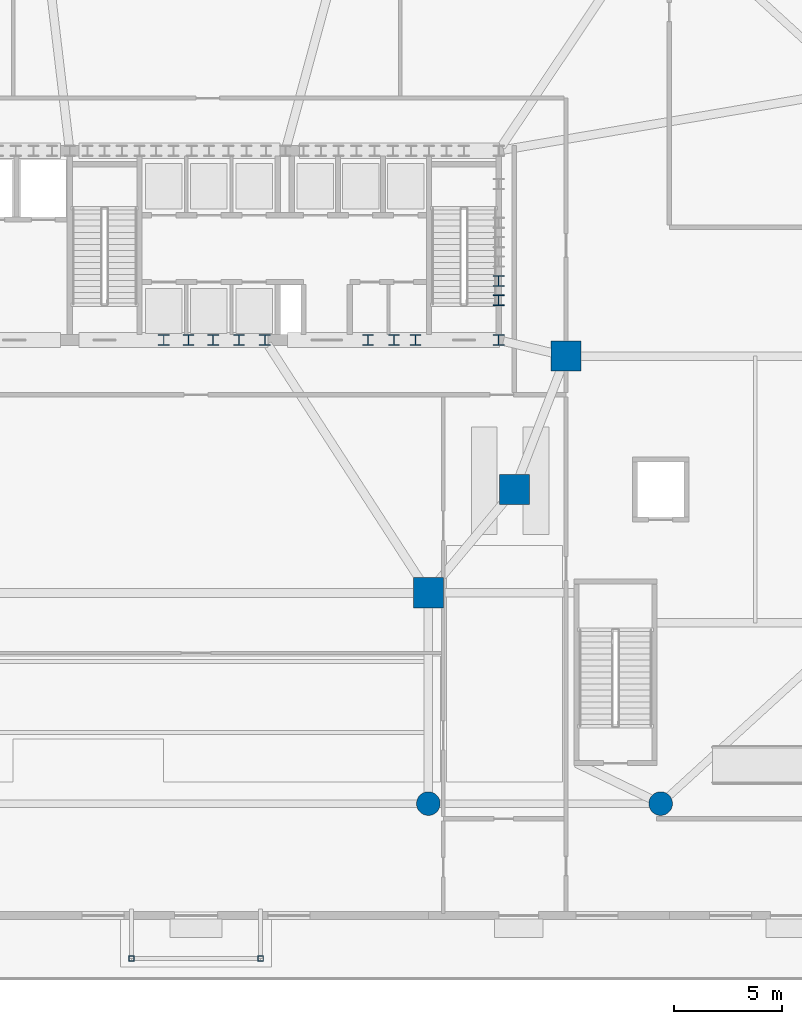
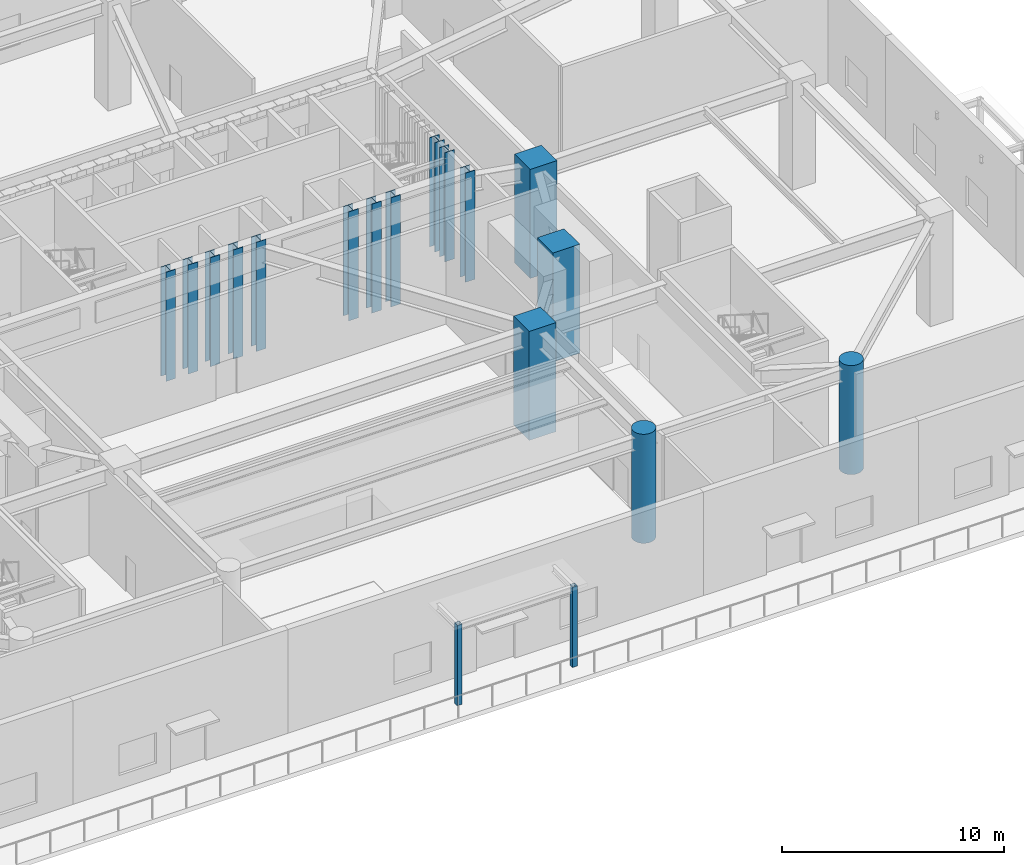
# One storey, part 2 of 21: 18 columns.
"""IFC4 building model written with IfcOpenShell, lengths in metres."""

from ifc_helpers import new_model, si_unit, direction, frame, origin, origin_2d, place, context, subcontext, project, spatial, rectangle, hollow_rectangle, circle, i_section, extrude, material, material_profile, profile_set, type_object, element, save


model = new_model("IFC4")

# Units and contexts
model_context = context("Model", 3, precision=1e-05, world=origin(), true_north=direction((0.0, 1.0)))
body_context = subcontext(model_context, "Body", "Model", "MODEL_VIEW")
ifc_project = project(units=[si_unit("LENGTHUNIT", "METRE"), si_unit("AREAUNIT", "SQUARE_METRE"), si_unit("VOLUMEUNIT", "CUBIC_METRE"), si_unit("PLANEANGLEUNIT", "RADIAN"), si_unit("MASSUNIT", "GRAM", prefix="KILO")], contexts=[model_context])

# Site, building, storey
site_placement = place(None, origin())
site = spatial("IfcSite", under=ifc_project, at=site_placement, CompositionType="ELEMENT")
building_placement = place(site_placement, origin())
building = spatial("IfcBuilding", under=site, at=building_placement, Name="Haldorwick Loom Tower", CompositionType="ELEMENT")
storey_placement = place(building_placement, origin())
storey = spatial("IfcBuildingStorey", under=building, at=storey_placement, Name="L00", CompositionType="ELEMENT", Elevation=0.0)

# Columns
ifc_material_1 = material(Name="Steel CSA G40.21 350W", Category="steel")
ifc_material_profile_1 = material_profile(ifc_material_1, hollow_rectangle(XDim=0.25390625, YDim=0.25390625, WallThickness=0.0126953125, at=origin_2d()), Name="HSS254X254X13", Category="steel")
ifc_profile_set_1 = profile_set([ifc_material_profile_1], Name="Steel CSA G40.21 350W")
column_type_1 = type_object("IfcColumnType", Name="STR-COL-CN254", PredefinedType="COLUMN", material=ifc_profile_set_1)
for number, where, z_axis, x_axis, name in (
    (1, (33.0, -2.0, 0.0), (0.0, 0.0, 1.0), (1.0, 0.0, 0.0), "L00 Entrance Canopy Column CN-S1-1"),
    (2, (39.0, -2.0, 0.0), (0.0, 0.0, 1.0), (1.0, 0.0, 0.0), "L00 Entrance Canopy Column CN-S1-2"),
):
    element("IfcColumn", number, at=place(storey_placement, frame(where, z_axis=z_axis, x_axis=x_axis)), inside=storey, type_object=column_type_1, Name=name, PredefinedType="COLUMN", context=body_context, shape_type="SweptSolid", body=[
        extrude(hollow_rectangle(XDim=0.25390625, YDim=0.25390625, WallThickness=0.0126953125, at=origin_2d()), origin(), (0.0, 0.0, 1.0), 4.419921875),
    ])
ifc_material_2 = material(Name="Concrete C60 (60 MPa)", Category="concrete")
ifc_material_profile_2 = material_profile(ifc_material_2, rectangle(XDim=1.39990234375, YDim=1.39990234375, at=origin_2d()), Name="RC1400X1400", Category="concrete")
ifc_profile_set_2 = profile_set([ifc_material_profile_2], Name="Concrete C60 (60 MPa)")
column_type_2 = type_object("IfcColumnType", Name="STR-COL-MEGA1400", PredefinedType="COLUMN", material=ifc_profile_set_2)
for number, where, z_axis, x_axis, name in (
    (3, (53.199951171875, 26.0, 0.0), (0.0, 0.0, 1.0), (1.0, 0.0, 0.0), "L00 Inner Column IC-01"),
    (4, (50.800048828125, 19.800048828125, 0.0), (0.0, 0.0, 1.0), (1.0, 0.0, 0.0), "L00 Inner Column IC-02"),
    (5, (46.800048828125, 15.0, 0.0), (0.0, 0.0, 1.0), (1.0, 0.0, 0.0), "L00 Podium Column PC-TE"),
):
    element("IfcColumn", number, at=place(storey_placement, frame(where, z_axis=z_axis, x_axis=x_axis)), inside=storey, type_object=column_type_2, Name=name, PredefinedType="COLUMN", context=body_context, shape_type="SweptSolid", body=[
        extrude(rectangle(XDim=1.39990234375, YDim=1.39990234375, at=origin_2d()), origin(), (0.0, 0.0, 1.0), 6.0),
    ])
ifc_material_profile_3 = material_profile(ifc_material_2, circle(Radius=0.550048828125, at=origin_2d()), Name="RCD1100", Category="concrete")
ifc_profile_set_3 = profile_set([ifc_material_profile_3], Name="Concrete C60 (60 MPa)")
column_type_3 = type_object("IfcColumnType", Name="STR-COL-RCD1100", PredefinedType="COLUMN", material=ifc_profile_set_3)
for number, where, z_axis, x_axis, name in (
    (6, (46.800048828125, 5.199951171875, 0.0), (0.0, 0.0, 1.0), (1.0, 0.0, 0.0), "L00 Podium Column PC-S3"),
    (7, (57.60009765625, 5.199951171875, 0.0), (0.0, 0.0, 1.0), (1.0, 0.0, 0.0), "L00 Podium Column PC-S4"),
):
    element("IfcColumn", number, at=place(storey_placement, frame(where, z_axis=z_axis, x_axis=x_axis)), inside=storey, type_object=column_type_3, Name=name, PredefinedType="COLUMN", context=body_context, shape_type="SweptSolid", body=[
        extrude(circle(Radius=0.550048828125, at=origin_2d()), origin(), (0.0, 0.0, 1.0), 6.0),
    ])
ifc_material_3 = material(Name="Steel CSA G40.21 350WT", Category="steel")
ifc_material_profile_4 = material_profile(ifc_material_3, i_section(OverallWidth=0.5, OverallDepth=0.5, WebThickness=0.02197265625, FlangeThickness=0.031982421875, at=origin_2d()), Name="WWF500X500", Category="steel")
ifc_profile_set_4 = profile_set([ifc_material_profile_4], Name="Steel CSA G40.21 350WT")
column_type_4 = type_object("IfcColumnType", Name="STR-COL-WWF500", PredefinedType="COLUMN", material=ifc_profile_set_4)
for number, where, z_axis, x_axis, name in (
    (8, (34.5, 26.75, 0.0), (0.0, 0.0, 1.0), (1.0, 0.0, 0.0), "L00 Core Pilaster CB-21"),
    (9, (36.800048828125, 26.75, 0.0), (0.0, 0.0, 1.0), (1.0, 0.0, 0.0), "L00 Core Pilaster CB-22"),
    (10, (39.199951171875, 26.75, 0.0), (0.0, 0.0, 1.0), (1.0, 0.0, 0.0), "L00 Core Pilaster CB-23"),
    (11, (45.199951171875, 26.75, 0.0), (0.0, 0.0, 1.0), (1.0, 0.0, 0.0), "L00 Core Pilaster CB-24"),
    (12, (50.070068359375, 26.75, 0.0), (0.0, 0.0, 1.0), (1.0, 0.0, 0.0), "L00 Core Pilaster CB-25"),
    (13, (50.070068359375, 28.60009765625, 0.0), (0.0, 0.0, 1.0), (1.0, 0.0, 0.0), "L00 Core Pilaster CB-29"),
    (14, (50.070068359375, 29.5, 0.0), (0.0, 0.0, 1.0), (1.0, 0.0, 0.0), "L00 Core Pilaster CB-49"),
    (15, (35.64990234375, 26.75, 0.0), (0.0, 0.0, 1.0), (1.0, 0.0, 0.0), "L00 Core Pilaster CB-51"),
    (16, (38.0, 26.75, 0.0), (0.0, 0.0, 1.0), (1.0, 0.0, 0.0), "L00 Core Pilaster CB-52"),
    (17, (44.0, 26.75, 0.0), (0.0, 0.0, 1.0), (1.0, 0.0, 0.0), "L00 Core Pilaster CB-53"),
    (18, (46.199951171875, 26.75, 0.0), (0.0, 0.0, 1.0), (1.0, 0.0, 0.0), "L00 Core Pilaster CB-54"),
):
    element("IfcColumn", number, at=place(storey_placement, frame(where, z_axis=z_axis, x_axis=x_axis)), inside=storey, type_object=column_type_4, Name=name, PredefinedType="COLUMN", context=body_context, shape_type="SweptSolid", body=[
        extrude(i_section(OverallWidth=0.5, OverallDepth=0.5, WebThickness=0.02197265625, FlangeThickness=0.031982421875, at=origin_2d()), origin(), (0.0, 0.0, 1.0), 6.0),
    ])

save(model, "model.ifc")
